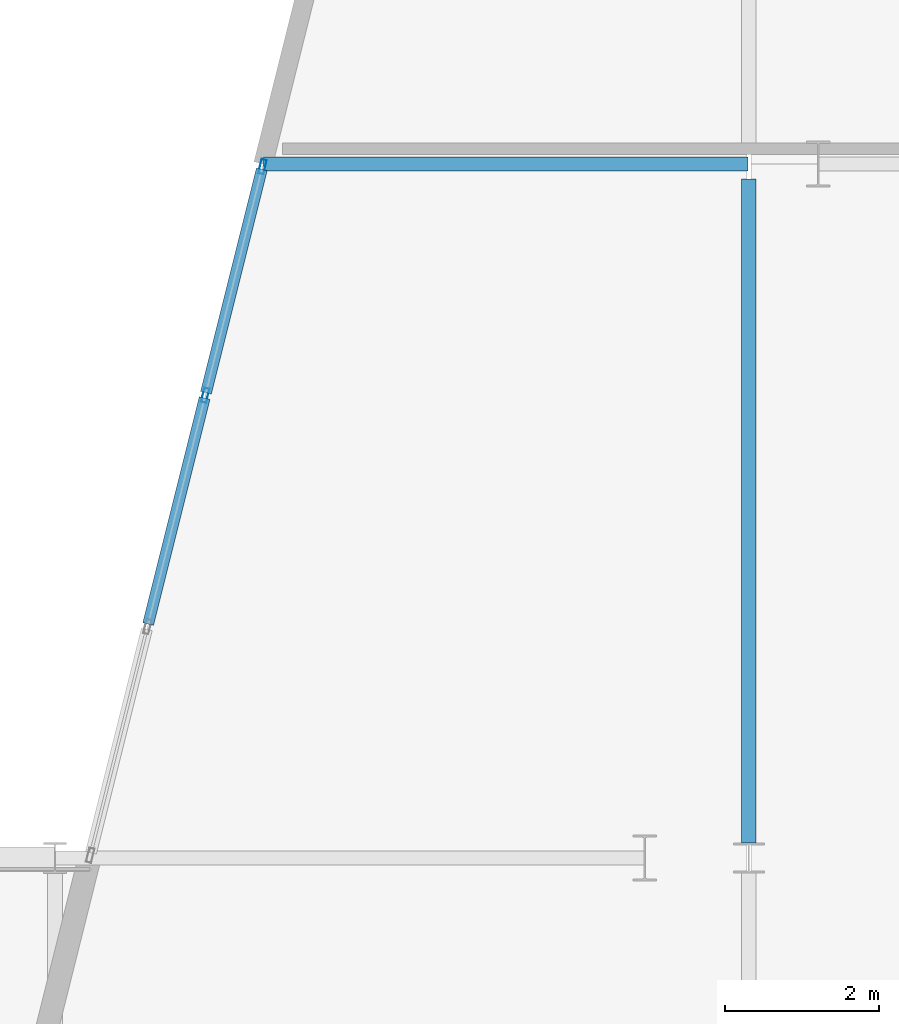
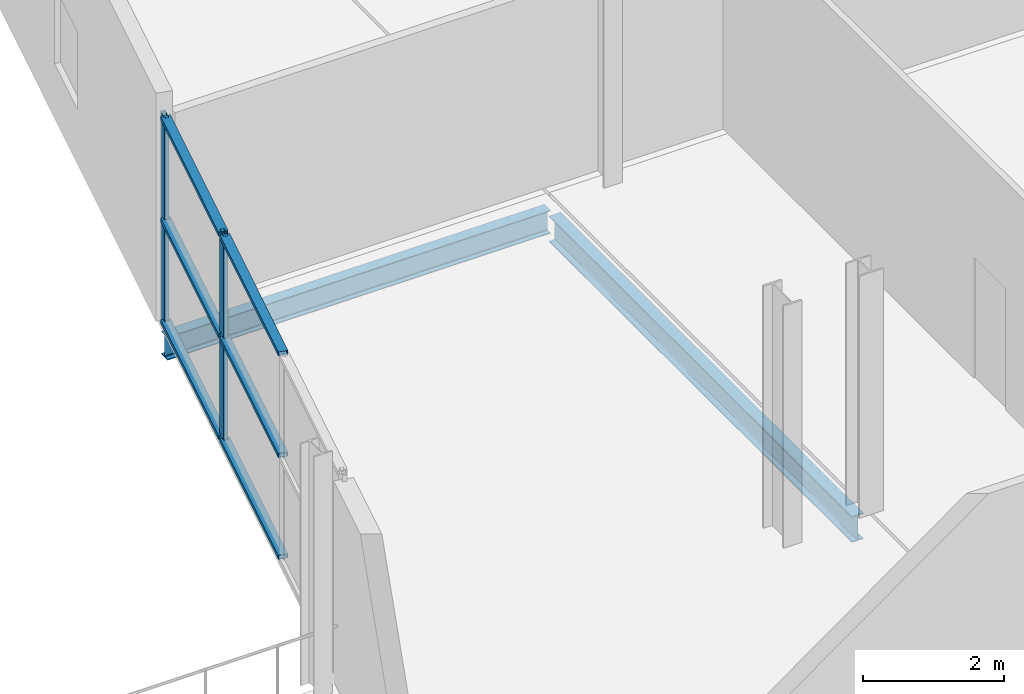
# One storey, part 16 of 59: 8 members, 2 beams, 1 element without a shape of its own.
"""IFC4 building model written with IfcOpenShell, lengths in metres."""

from ifc_helpers import new_model, si_unit, direction, frame, origin, origin_2d, place, context, subcontext, project, spatial, hollow_rectangle, i_section, extrude, material, layer, layer_set, material_profile, profile_set, type_object, element, aggregate, save


model = new_model("IFC4")

# Units and contexts
model_context = context("Model", 3, precision=1e-05, world=origin(), true_north=direction((0.0, 1.0)))
body_context = subcontext(model_context, "Body", "Model", "MODEL_VIEW")
ifc_project = project(units=[si_unit("LENGTHUNIT", "METRE"), si_unit("AREAUNIT", "SQUARE_METRE"), si_unit("VOLUMEUNIT", "CUBIC_METRE"), si_unit("PLANEANGLEUNIT", "RADIAN"), si_unit("MASSUNIT", "GRAM", prefix="KILO")], contexts=[model_context])

# Site, building, storey
site_placement = place(None, origin())
site = spatial("IfcSite", under=ifc_project, at=site_placement, CompositionType="ELEMENT")
building_placement = place(site_placement, origin())
building = spatial("IfcBuilding", under=site, at=building_placement, Name="Deido Ridge Mobility Hub", CompositionType="ELEMENT")
storey_placement = place(building_placement, frame((0.0, 0.0, 21.0)))
storey = spatial("IfcBuildingStorey", under=building, at=storey_placement, Name="L05", CompositionType="ELEMENT", Elevation=21.0)

# Beams
ifc_material_1 = material(Name="Steel S355J2 EN 10025-2", Category="steel")
ifc_material_profile_1 = material_profile(ifc_material_1, i_section(OverallWidth=0.179931640625, OverallDepth=0.39990234375, WebThickness=0.008544921875, FlangeThickness=0.013427734375, FilletRadius=0.02099609375, at=origin_2d()), Name="IPE 400")
ifc_profile_set_1 = profile_set([ifc_material_profile_1], Name="Steel S355J2 EN 10025-2")
beam_type_1 = type_object("IfcBeamType", Name="BM-IPE400", PredefinedType="BEAM", material=ifc_profile_set_1)
beam_1_placement = place(storey_placement, frame((137.70703125, 36.0, -0.445068359375), z_axis=(1.0, 0.0, 0.0), x_axis=(0.0, 1.0, 0.0)))
element("IfcBeam", 1, at=beam_1_placement, inside=storey, type_object=beam_type_1, Name="Floor beam B5", PredefinedType="BEAM", context=body_context, shape_type="SweptSolid", body=[
    extrude(i_section(OverallWidth=0.179931640625, OverallDepth=0.39990234375, WebThickness=0.008544921875, FlangeThickness=0.013427734375, FilletRadius=0.02099609375, at=origin_2d()), origin(), (0.0, 0.0, 1.0), 6.2841796875),
])
ifc_material_profile_2 = material_profile(ifc_material_1, i_section(OverallWidth=0.18994140625, OverallDepth=0.449951171875, WebThickness=0.009521484375, FlangeThickness=0.0146484375, FilletRadius=0.02099609375, at=origin_2d()), Name="IPE 450")
ifc_profile_set_2 = profile_set([ifc_material_profile_2], Name="Steel S355J2 EN 10025-2")
beam_type_2 = type_object("IfcBeamType", Name="BM-IPE450", PredefinedType="BEAM", material=ifc_profile_set_2)
beam_2_placement = place(storey_placement, frame((144.0, 27.196533203125, -0.469970703125), z_axis=(0.0, 1.0, 0.0), x_axis=(-1.0, 0.0, 0.0)))
element("IfcBeam", 2, at=beam_2_placement, inside=storey, type_object=beam_type_2, Name="Floor beam B4", PredefinedType="BEAM", context=body_context, shape_type="SweptSolid", body=[
    extrude(i_section(OverallWidth=0.18994140625, OverallDepth=0.449951171875, WebThickness=0.009521484375, FlangeThickness=0.0146484375, FilletRadius=0.02099609375, at=origin_2d()), origin(), (0.0, 0.0, 1.0), 8.60693359375),
])

# Curtain wall, members
ifc_material_2 = material(Name="Anodised aluminium EN AW-6063 T6", Category="aluminium")
ifc_layer = layer(ifc_material_2, 0.239990234375, Name="Anodised aluminium EN AW-6063 T6")
ifc_layer_set = layer_set([ifc_layer], Name="Anodised aluminium EN AW-6063 T6")
curtain_wall_type = type_object("IfcCurtainWallType", Name="CW-UF-6", PredefinedType="USERDEFINED", material=ifc_layer_set)
curtain_wall_placement = place(storey_placement, origin())
curtain_wall = element("IfcCurtainWall", 3, at=curtain_wall_placement, inside=storey, type_object=curtain_wall_type, Name="Unitised curtain wall CW6", ObjectType="UNITISED FACADE", PredefinedType="USERDEFINED")
ifc_material_profile_3 = material_profile(ifc_material_2, hollow_rectangle(XDim=0.070068359375, YDim=0.18994140625, WallThickness=0.00390625, at=origin_2d()), Name="RHS 70x190x4")
ifc_profile_set_3 = profile_set([ifc_material_profile_3], Name="Anodised aluminium EN AW-6063 T6")
member_type_1 = type_object("IfcMemberType", Name="MEM-MUL-70X190", PredefinedType="MULLION", material=ifc_profile_set_3)
member_1_placement = place(storey_placement, frame((136.949951171875, 33.0, 0.0), z_axis=(0.0, 0.0, 1.0), x_axis=(-0.970142500145, 0.242535625038, 0.0)))
member_1 = element("IfcMember", 4, at=member_1_placement, type_object=member_type_1, Name="CW6 mullion 3", PredefinedType="MULLION", context=body_context, shape_type="SweptSolid", body=[
    extrude(hollow_rectangle(XDim=0.070068359375, YDim=0.18994140625, WallThickness=0.00390625, at=origin_2d()), origin(), (0.0, 0.0, 1.0), 3.60009765625),
])
member_2_placement = place(storey_placement, frame((137.69140625, 35.966064453125, 0.0), z_axis=(0.0, 0.0, 1.0), x_axis=(-0.970142500145, 0.242535625038, 0.0)))
member_2 = element("IfcMember", 5, at=member_2_placement, type_object=member_type_1, Name="CW6 mullion 4", PredefinedType="MULLION", context=body_context, shape_type="SweptSolid", body=[
    extrude(hollow_rectangle(XDim=0.070068359375, YDim=0.18994140625, WallThickness=0.00390625, at=origin_2d()), origin(), (0.0, 0.0, 1.0), 3.60009765625),
])
ifc_material_profile_4 = material_profile(ifc_material_2, hollow_rectangle(XDim=0.14501953125, YDim=0.070068359375, WallThickness=0.00390625, at=origin_2d()), Name="RHS 145x70x4")
ifc_profile_set_4 = profile_set([ifc_material_profile_4], Name="Anodised aluminium EN AW-6063 T6")
member_type_2 = type_object("IfcMemberType", Name="MEM-TRN-145X70", PredefinedType="USERDEFINED", material=ifc_profile_set_4)
member_3_placement = place(storey_placement, frame((136.20849609375, 30.033935546875, 0.034912109375), z_axis=(0.242497611351, 0.970152002775, 0.0), x_axis=(-0.970152002775, 0.242497611351, 0.0)))
member_3 = element("IfcMember", 6, at=member_3_placement, type_object=member_type_2, Name="CW6 transom 2.1", ObjectType="TRANSOM", PredefinedType="USERDEFINED", context=body_context, shape_type="SweptSolid", body=[
    extrude(hollow_rectangle(XDim=0.14501953125, YDim=0.070068359375, WallThickness=0.00390625, at=origin_2d()), origin(), (0.0, 0.0, 1.0), 3.0224609375),
])
member_4_placement = place(storey_placement, frame((136.20849609375, 30.033935546875, 1.800048828125), z_axis=(0.242497611351, 0.970152002775, 0.0), x_axis=(-0.970152002775, 0.242497611351, 0.0)))
member_4 = element("IfcMember", 7, at=member_4_placement, type_object=member_type_2, Name="CW6 transom 2.2", ObjectType="TRANSOM", PredefinedType="USERDEFINED", context=body_context, shape_type="SweptSolid", body=[
    extrude(hollow_rectangle(XDim=0.14501953125, YDim=0.070068359375, WallThickness=0.00390625, at=origin_2d()), origin(), (0.0, 0.0, 1.0), 3.0224609375),
])
member_5_placement = place(storey_placement, frame((136.20849609375, 30.033935546875, 3.56494140625), z_axis=(0.242497611351, 0.970152002775, 0.0), x_axis=(-0.970152002775, 0.242497611351, 0.0)))
member_5 = element("IfcMember", 8, at=member_5_placement, type_object=member_type_2, Name="CW6 transom 2.3", ObjectType="TRANSOM", PredefinedType="USERDEFINED", context=body_context, shape_type="SweptSolid", body=[
    extrude(hollow_rectangle(XDim=0.14501953125, YDim=0.070068359375, WallThickness=0.00390625, at=origin_2d()), origin(), (0.0, 0.0, 1.0), 3.0224609375),
])
member_6_placement = place(storey_placement, frame((136.95849609375, 33.033935546875, 0.034912109375), z_axis=(0.242554854008, 0.9701376927, 0.0), x_axis=(-0.9701376927, 0.242554854008, 0.0)))
member_6 = element("IfcMember", 9, at=member_6_placement, type_object=member_type_2, Name="CW6 transom 3.1", ObjectType="TRANSOM", PredefinedType="USERDEFINED", context=body_context, shape_type="SweptSolid", body=[
    extrude(hollow_rectangle(XDim=0.14501953125, YDim=0.070068359375, WallThickness=0.00390625, at=origin_2d()), origin(), (0.0, 0.0, 1.0), 2.9873046875),
])
member_7_placement = place(storey_placement, frame((136.95849609375, 33.033935546875, 1.800048828125), z_axis=(0.242554854008, 0.9701376927, 0.0), x_axis=(-0.9701376927, 0.242554854008, 0.0)))
member_7 = element("IfcMember", 10, at=member_7_placement, type_object=member_type_2, Name="CW6 transom 3.2", ObjectType="TRANSOM", PredefinedType="USERDEFINED", context=body_context, shape_type="SweptSolid", body=[
    extrude(hollow_rectangle(XDim=0.14501953125, YDim=0.070068359375, WallThickness=0.00390625, at=origin_2d()), origin(), (0.0, 0.0, 1.0), 2.9873046875),
])
member_8_placement = place(storey_placement, frame((136.95849609375, 33.033935546875, 3.56494140625), z_axis=(0.242554854008, 0.9701376927, 0.0), x_axis=(-0.9701376927, 0.242554854008, 0.0)))
member_8 = element("IfcMember", 11, at=member_8_placement, type_object=member_type_2, Name="CW6 transom 3.3", ObjectType="TRANSOM", PredefinedType="USERDEFINED", context=body_context, shape_type="SweptSolid", body=[
    extrude(hollow_rectangle(XDim=0.14501953125, YDim=0.070068359375, WallThickness=0.00390625, at=origin_2d()), origin(), (0.0, 0.0, 1.0), 2.9873046875),
])
aggregate(curtain_wall, [member_1, member_2, member_3, member_4, member_5, member_6, member_7, member_8])

save(model, "model.ifc")
